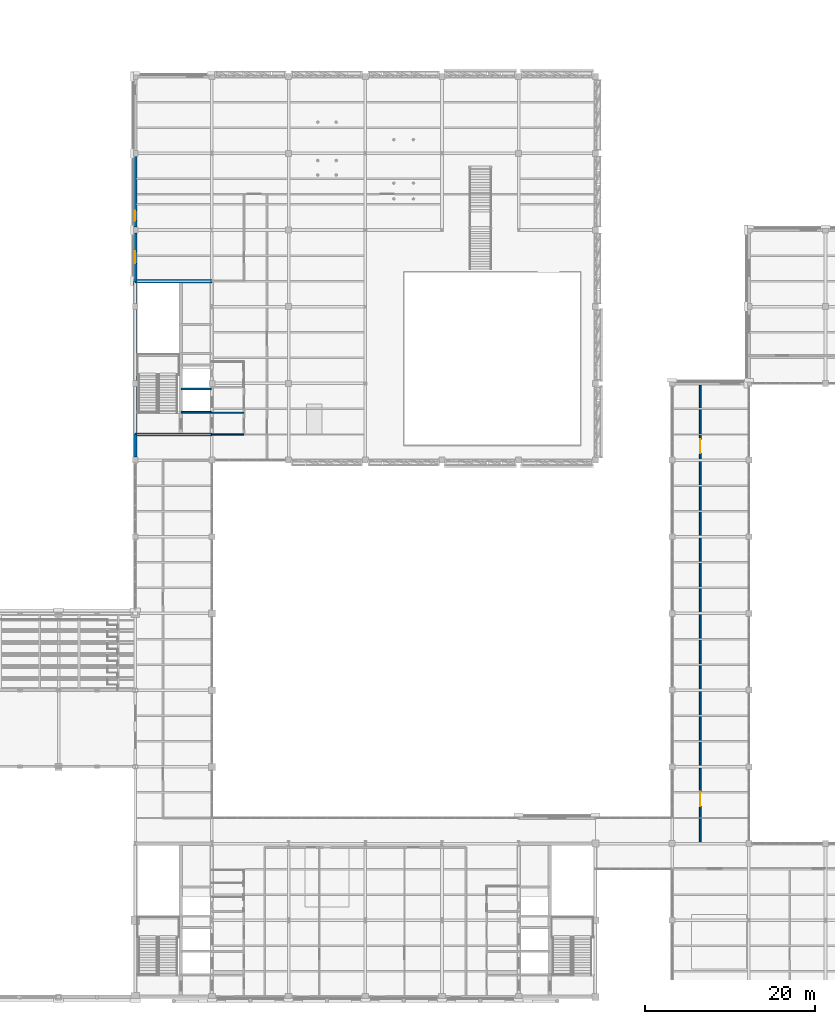
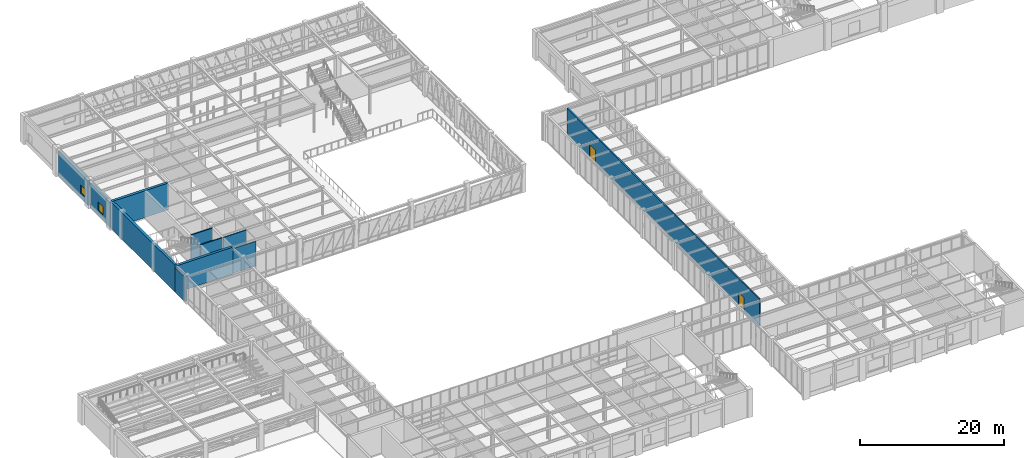
# One storey, part 83 of 92: 11 walls, 2 doors, 2 windows, 4 openings.
"""IFC4 building model written with IfcOpenShell, lengths in metres."""

from ifc_helpers import new_model, si_unit, direction, frame, frame_2d, origin, place, context, subcontext, project, spatial, rectangle, extrude, material, layer, layer_set, type_object, element, fill, save


model = new_model("IFC4")

# Units and contexts
model_context = context("Model", 3, precision=1e-05, world=origin(), true_north=direction((0.0, 1.0)))
body_context = subcontext(model_context, "Body", "Model", "MODEL_VIEW")
ifc_project = project(units=[si_unit("LENGTHUNIT", "METRE"), si_unit("AREAUNIT", "SQUARE_METRE"), si_unit("VOLUMEUNIT", "CUBIC_METRE"), si_unit("PLANEANGLEUNIT", "RADIAN"), si_unit("MASSUNIT", "GRAM", prefix="KILO")], contexts=[model_context])

# Site, building, storey
site_placement = place(None, origin())
site = spatial("IfcSite", under=ifc_project, at=site_placement, CompositionType="ELEMENT")
building_placement = place(site_placement, origin())
building = spatial("IfcBuilding", under=site, at=building_placement, Name="Lykobir Media Centre", CompositionType="ELEMENT")
storey_placement = place(building_placement, frame((0.0, 0.0, 5.39990234375)))
storey = spatial("IfcBuildingStorey", under=building, at=storey_placement, Name="L01", CompositionType="ELEMENT", Elevation=5.39990234375)

# Wall
ifc_material_1 = material(Name="Honed Travertine Stone", Category="masonry")
ifc_layer_1 = layer(ifc_material_1, 0.389892578125, Name="Honed Travertine Stone")
ifc_layer_set_1 = layer_set([ifc_layer_1], Name="Honed Travertine Stone")
wall_type_1 = type_object("IfcWallType", Name="EW-TRAV-390", PredefinedType="STANDARD", material=ifc_layer_set_1)
wall_1_placement = place(storey_placement, frame((27.0, 66.074951171875, 0.0), z_axis=(0.0, 0.0, 1.0), x_axis=(0.0, -1.0, 0.0)))
element("IfcWall", 1, at=wall_1_placement, inside=storey, type_object=wall_type_1, Name="Exterior wall WALL-L01-0140", PredefinedType="STANDARD", context=body_context, shape_type="SweptSolid", body=[
    extrude(rectangle(XDim=2.739990234375, YDim=0.389892578125, at=frame_2d((1.3701171875, 0.0))), origin(), (0.0, 0.0, 1.0), 4.195068359375),
])

# Wall, opening, window
wall_2_placement = place(storey_placement, frame((27.0, 89.6650390625, 0.0), z_axis=(0.0, 0.0, 1.0), x_axis=(0.0, -1.0, 0.0)))
wall_2 = element("IfcWall", 2, at=wall_2_placement, inside=storey, type_object=wall_type_1, Name="Exterior wall WALL-L01-0141", PredefinedType="STANDARD", context=body_context, shape_type="SweptSolid", body=[
    extrude(rectangle(XDim=5.739990234375, YDim=0.389892578125, at=frame_2d((2.8701171875, 0.0))), origin(), (0.0, 0.0, 1.0), 4.195068359375),
])
opening_1_placement = place(wall_2_placement, frame((2.169921875, 0.0, 0.89990234375)))
opening_1 = element("IfcOpeningElement", 3, at=opening_1_placement, cuts=wall_2, Name="Opening WN-1400x1450", PredefinedType="OPENING", context=body_context, shape_type="SweptSolid", body=[
    extrude(rectangle(XDim=1.39990234375, YDim=1.449951171875, at=frame_2d((0.699951171875, 0.72509765625))), frame((0.0, 0.204833984375, 0.0), z_axis=(0.0, -1.0, 0.0), x_axis=(1.0, 0.0, 0.0)), (0.0, 0.0, 1.0), 0.409912109375),
])
ifc_material_2 = material(Name="Low-E Laminated Triple Glazing", Category="glass")
window_type_1 = type_object("IfcWindowType", Name="WN-1400x1450", PartitioningType="SINGLE_PANEL", PredefinedType="WINDOW", material=ifc_material_2)
window_1_placement = place(opening_1_placement, origin())
window_1 = element("IfcWindow", 4, at=window_1_placement, inside=storey, type_object=window_type_1, Name="Window WIN-L01-0038", OverallHeight=1.449951171875, OverallWidth=1.39990234375, PartitioningType="SINGLE_PANEL", PredefinedType="WINDOW", context=body_context, shape_type="SweptSolid", body=[
    extrude(rectangle(XDim=1.39990234375, YDim=1.449951171875, at=frame_2d((0.699951171875, 0.72509765625))), frame((0.0, 0.030029296875, 0.0), z_axis=(0.0, -1.0, 0.0), x_axis=(1.0, 0.0, 0.0)), (0.0, 0.0, 1.0), 0.06005859375),
])
fill(opening_1, window_1)

wall_3_placement = place(storey_placement, frame((27.0, 98.6650390625, 0.0), z_axis=(0.0, 0.0, 1.0), x_axis=(0.0, -1.0, 0.0)))
wall_3 = element("IfcWall", 5, at=wall_3_placement, inside=storey, type_object=wall_type_1, Name="Exterior wall WALL-L01-0142", PredefinedType="STANDARD", context=body_context, shape_type="SweptSolid", body=[
    extrude(rectangle(XDim=8.330078125, YDim=0.389892578125, at=frame_2d((4.1650390625, 0.0))), origin(), (0.0, 0.0, 1.0), 4.195068359375),
])
opening_2_placement = place(wall_3_placement, frame((6.3798828125, 0.0, 0.89990234375)))
opening_2 = element("IfcOpeningElement", 6, at=opening_2_placement, cuts=wall_3, Name="Opening WN-1200x1400", PredefinedType="OPENING", context=body_context, shape_type="SweptSolid", body=[
    extrude(rectangle(XDim=1.199951171875, YDim=1.39990234375, at=frame_2d((0.60009765625, 0.699951171875))), frame((0.0, 0.204833984375, 0.0), z_axis=(0.0, -1.0, 0.0), x_axis=(1.0, 0.0, 0.0)), (0.0, 0.0, 1.0), 0.409912109375),
])
window_type_2 = type_object("IfcWindowType", Name="WN-1200x1400", PartitioningType="SINGLE_PANEL", PredefinedType="WINDOW", material=ifc_material_2)
window_2_placement = place(opening_2_placement, origin())
window_2 = element("IfcWindow", 7, at=window_2_placement, inside=storey, type_object=window_type_2, Name="Window WIN-L01-0039", OverallHeight=1.39990234375, OverallWidth=1.199951171875, PartitioningType="SINGLE_PANEL", PredefinedType="WINDOW", context=body_context, shape_type="SweptSolid", body=[
    extrude(rectangle(XDim=1.199951171875, YDim=1.39990234375, at=frame_2d((0.60009765625, 0.699951171875))), frame((0.0, 0.030029296875, 0.0), z_axis=(0.0, -1.0, 0.0), x_axis=(1.0, 0.0, 0.0)), (0.0, 0.0, 1.0), 0.06005859375),
])
fill(opening_2, window_2)

# Walls
ifc_material_3 = material(Name="Acoustic Gypsum Board", Category="gypsum")
ifc_layer_2 = layer(ifc_material_3, 0.159912109375, Name="Acoustic Gypsum Board")
ifc_layer_set_2 = layer_set([ifc_layer_2], Name="Acoustic Gypsum Board")
wall_type_2 = type_object("IfcWallType", Name="IW-COR-160", PredefinedType="PARTITIONING", material=ifc_layer_set_2)
wall_4_placement = place(storey_placement, frame((36.0, 66.0, 0.0), z_axis=(0.0, 0.0, 1.0), x_axis=(1.0, 0.0, 0.0)))
element("IfcWall", 8, at=wall_4_placement, inside=storey, type_object=wall_type_2, Name="Wall IWALL-L01-0386", PredefinedType="PARTITIONING", context=body_context, shape_type="SweptSolid", body=[
    extrude(rectangle(XDim=3.75, YDim=0.159912109375, at=frame_2d((1.875, 0.0))), origin(), (0.0, 0.0, 1.0), 4.18505859375),
])
wall_5_placement = place(storey_placement, frame((36.0, 68.550048828125, 0.0), z_axis=(0.0, 0.0, 1.0), x_axis=(1.0, 0.0, 0.0)))
element("IfcWall", 9, at=wall_5_placement, inside=storey, type_object=wall_type_2, Name="Wall IWALL-L01-0387", PredefinedType="PARTITIONING", context=body_context, shape_type="SweptSolid", body=[
    extrude(rectangle(XDim=3.75, YDim=0.159912109375, at=frame_2d((1.875, 0.0))), origin(), (0.0, 0.0, 1.0), 4.56005859375),
])
ifc_material_4 = material(Name="Concrete C30/37", Category="concrete")
ifc_layer_3 = layer(ifc_material_4, 0.199951171875, Name="Concrete C30/37")
ifc_layer_set_3 = layer_set([ifc_layer_3], Name="Concrete C30/37")
wall_type_3 = type_object("IfcWallType", Name="IW-SHAFT-200", PredefinedType="PARTITIONING", material=ifc_layer_set_3)
for number, where, z_axis, x_axis, name in (
    (10, (32.39990234375, 68.60009765625, 0.0), (0.0, 0.0, 1.0), (1.0, 0.0, 0.0), "Wall IWALL-L01-0380"),
    (11, (32.39990234375, 71.35009765625, 0.0), (0.0, 0.0, 1.0), (1.0, 0.0, 0.0), "Wall IWALL-L01-0381"),
):
    element("IfcWall", number, at=place(storey_placement, frame(where, z_axis=z_axis, x_axis=x_axis)), inside=storey, type_object=wall_type_3, Name=name, PredefinedType="PARTITIONING", context=body_context, shape_type="SweptSolid", body=[
        extrude(rectangle(XDim=3.5, YDim=0.199951171875, at=frame_2d((1.75, 0.0))), origin(), (0.0, 0.0, 1.0), 4.56005859375),
    ])

# Wall, openings, doors
ifc_layer_4 = layer(ifc_material_3, 0.219970703125, Name="Acoustic Gypsum Board")
ifc_layer_set_4 = layer_set([ifc_layer_4], Name="Acoustic Gypsum Board")
wall_type_4 = type_object("IfcWallType", Name="IW-STU-220", PredefinedType="PARTITIONING", material=ifc_layer_set_4)
wall_6_placement = place(storey_placement, frame((93.300048828125, 18.199951171875, 0.0), z_axis=(0.0, 0.0, 1.0), x_axis=(0.0, 1.0, 0.0)))
wall_6 = element("IfcWall", 12, at=wall_6_placement, inside=storey, type_object=wall_type_4, Name="Wall IWALL-L01-0692", PredefinedType="PARTITIONING", context=body_context, shape_type="SweptSolid", body=[
    extrude(rectangle(XDim=53.60009765625, YDim=0.219970703125, at=frame_2d((26.800048828125, 0.0))), origin(), (0.0, 0.0, 1.0), 4.56005859375),
])
opening_3_placement = place(wall_6_placement, frame((4.199951171875, 0.0, 0.0)))
opening_3 = element("IfcOpeningElement", 13, at=opening_3_placement, cuts=wall_6, Name="Opening D-L01-EP1", PredefinedType="OPENING", context=body_context, shape_type="SweptSolid", body=[
    extrude(rectangle(XDim=1.64990234375, YDim=2.25, at=frame_2d((0.824951171875, 1.125))), frame((0.0, 0.119873046875, 0.0), z_axis=(0.0, -1.0, 0.0), x_axis=(1.0, 0.0, 0.0)), (0.0, 0.0, 1.0), 0.239990234375),
])
opening_4_placement = place(wall_6_placement, frame((45.60009765625, 0.0, 0.0)))
opening_4 = element("IfcOpeningElement", 14, at=opening_4_placement, cuts=wall_6, Name="Opening D-L01-EP2", PredefinedType="OPENING", context=body_context, shape_type="SweptSolid", body=[
    extrude(rectangle(XDim=1.64990234375, YDim=2.25, at=frame_2d((0.824951171875, 1.125))), frame((0.0, 0.119873046875, 0.0), z_axis=(0.0, -1.0, 0.0), x_axis=(1.0, 0.0, 0.0)), (0.0, 0.0, 1.0), 0.239990234375),
])
ifc_material_5 = material(Name="Acoustic Timber Panelling", Category="wood")
door_type = type_object("IfcDoorType", Name="FD-1650x2250", OperationType="NOTDEFINED", PredefinedType="DOOR", material=ifc_material_5)
door_1_placement = place(opening_3_placement, origin())
door_1 = element("IfcDoor", 15, at=door_1_placement, inside=storey, type_object=door_type, Name="Door D-L01-EP1", OperationType="DOUBLE_DOOR_SINGLE_SWING", OverallHeight=2.25, OverallWidth=1.64990234375, PredefinedType="DOOR", context=body_context, shape_type="SweptSolid", body=[
    extrude(rectangle(XDim=1.64990234375, YDim=2.25, at=frame_2d((0.824951171875, 1.125))), frame((0.0, 0.02490234375, 0.0), z_axis=(0.0, -1.0, 0.0), x_axis=(1.0, 0.0, 0.0)), (0.0, 0.0, 1.0), 0.050048828125),
])
fill(opening_3, door_1)
door_2_placement = place(opening_4_placement, origin())
door_2 = element("IfcDoor", 16, at=door_2_placement, inside=storey, type_object=door_type, Name="Door D-L01-EP2", OperationType="DOUBLE_DOOR_SINGLE_SWING", OverallHeight=2.25, OverallWidth=1.64990234375, PredefinedType="DOOR", context=body_context, shape_type="SweptSolid", body=[
    extrude(rectangle(XDim=1.64990234375, YDim=2.25, at=frame_2d((0.824951171875, 1.125))), frame((0.0, 0.02490234375, 0.0), z_axis=(0.0, -1.0, 0.0), x_axis=(1.0, 0.0, 0.0)), (0.0, 0.0, 1.0), 0.050048828125),
])
fill(opening_4, door_2)

# Walls
ifc_material_6 = material(Name="Concrete C40/50", Category="concrete")
ifc_layer_5 = layer(ifc_material_6, 0.39990234375, Name="Concrete C40/50")
ifc_layer_set_5 = layer_set([ifc_layer_5], Name="Concrete C40/50")
wall_type_5 = type_object("IfcWallType", Name="SW-CORE-400", PredefinedType="SHEAR", material=ifc_layer_set_5)
wall_7_placement = place(storey_placement, frame((27.0, 66.0, 0.0), z_axis=(0.0, 0.0, 1.0), x_axis=(1.0, 0.0, 0.0)))
element("IfcWall", 17, at=wall_7_placement, inside=storey, type_object=wall_type_5, Name="Wall IWALL-L01-0375", PredefinedType="SHEAR", context=body_context, shape_type="SweptSolid", body=[
    extrude(rectangle(XDim=9.0, YDim=0.39990234375, at=frame_2d((4.5, 0.0))), origin(), (0.0, 0.0, 1.0), 4.56005859375),
])
ifc_layer_6 = layer(ifc_material_6, 0.39990234375, Name="Concrete C40/50")
ifc_layer_set_6 = layer_set([ifc_layer_6], Name="Concrete C40/50")
wall_type_6 = type_object("IfcWallType", Name="SW-CORE-400-E", PredefinedType="SHEAR", material=ifc_layer_set_6)
wall_8_placement = place(storey_placement, frame((36.0, 84.0, 0.0), z_axis=(0.0, 0.0, 1.0), x_axis=(-1.0, 0.0, 0.0)))
element("IfcWall", 18, at=wall_8_placement, inside=storey, type_object=wall_type_6, Name="Wall IWALL-L01-0377", PredefinedType="SHEAR", context=body_context, shape_type="SweptSolid", body=[
    extrude(rectangle(XDim=9.0, YDim=0.39990234375, at=frame_2d((4.5, 0.0))), origin(), (0.0, 0.0, 1.0), 4.56005859375),
])
wall_9_placement = place(storey_placement, frame((27.0, 84.0, 0.0), z_axis=(0.0, 0.0, 1.0), x_axis=(0.0, -1.0, 0.0)))
element("IfcWall", 19, at=wall_9_placement, inside=storey, type_object=wall_type_6, Name="Wall IWALL-L01-0378", PredefinedType="SHEAR", context=body_context, shape_type="SweptSolid", body=[
    extrude(rectangle(XDim=18.0, YDim=0.39990234375, at=frame_2d((9.0, 0.0))), origin(), (0.0, 0.0, 1.0), 4.56005859375),
])

save(model, "model.ifc")
